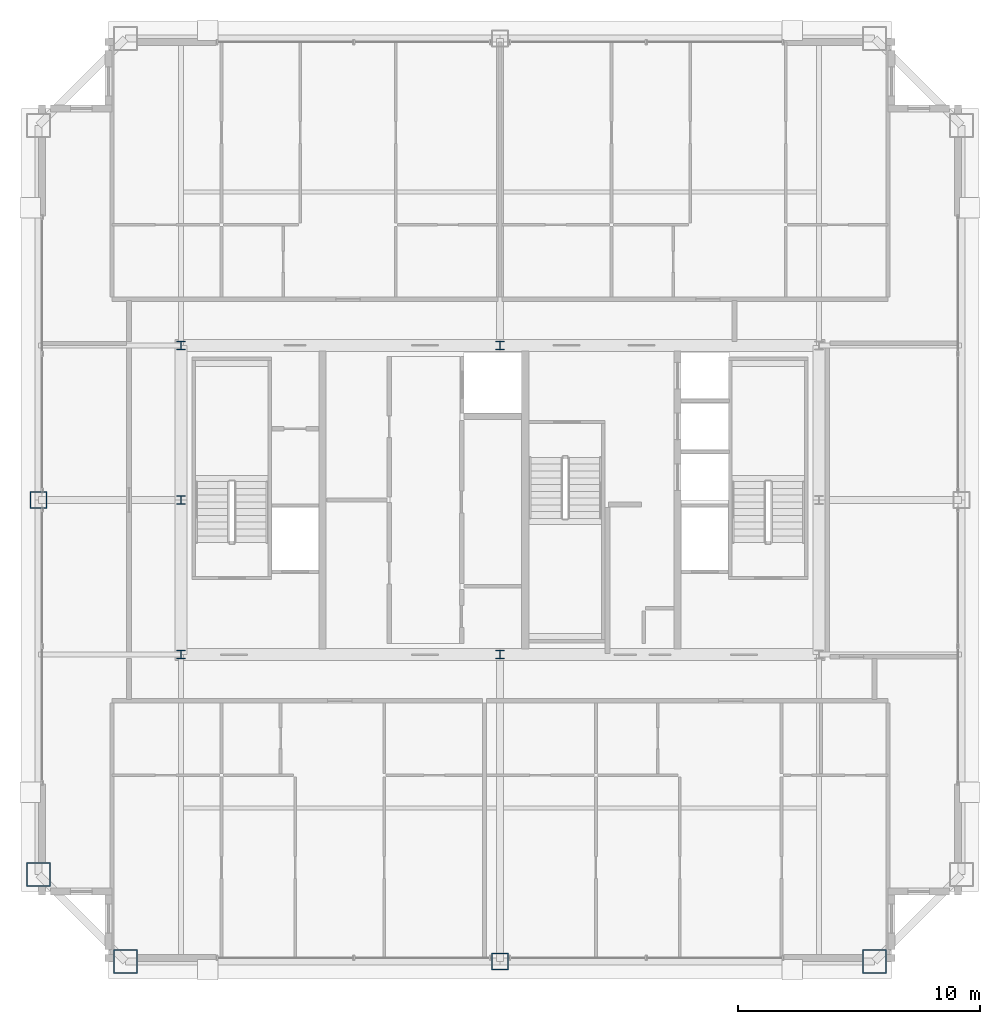
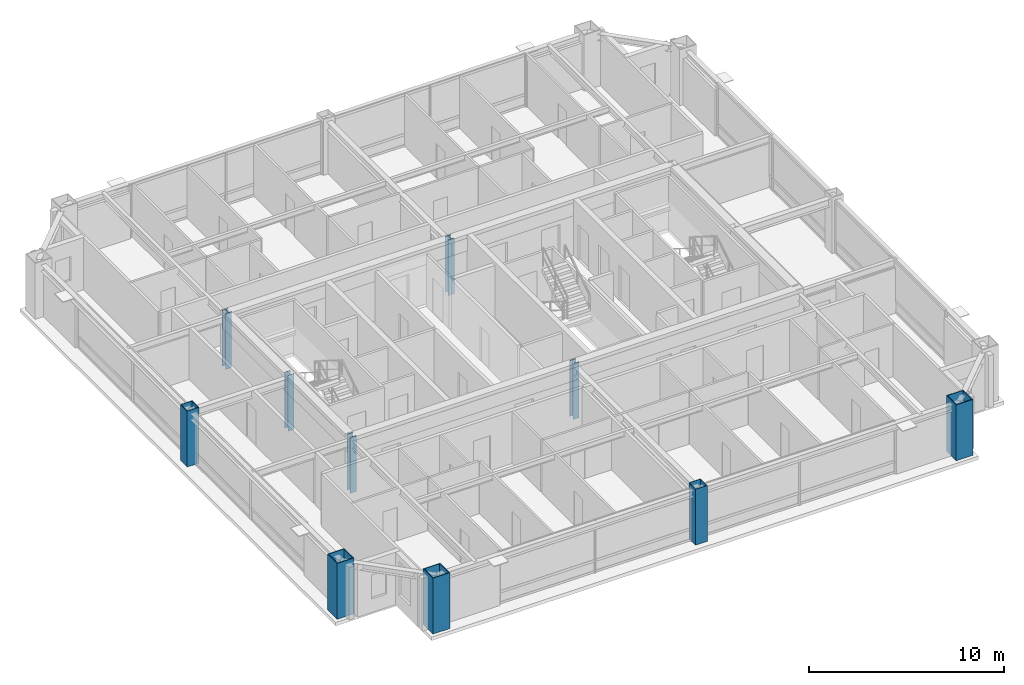
# One storey, part 1 of 35: 10 columns.
"""IFC4 building model written with IfcOpenShell, lengths in metres."""

from ifc_helpers import new_model, si_unit, direction, frame, origin, origin_2d, place, context, subcontext, project, spatial, hollow_rectangle, i_section, extrude, source, transform, mapped, material, material_profile, profile_set, type_object, element, save


model = new_model("IFC4")

# Units and contexts
model_context = context("Model", 3, precision=1e-05, world=origin(), true_north=direction((0.0, 1.0)))
body_context = subcontext(model_context, "Body", "Model", "MODEL_VIEW")
ifc_project = project(units=[si_unit("LENGTHUNIT", "METRE"), si_unit("AREAUNIT", "SQUARE_METRE"), si_unit("VOLUMEUNIT", "CUBIC_METRE"), si_unit("PLANEANGLEUNIT", "RADIAN"), si_unit("MASSUNIT", "GRAM", prefix="KILO"), si_unit("THERMODYNAMICTEMPERATUREUNIT", "KELVIN"), si_unit("POWERUNIT", "WATT")], contexts=[model_context])

# Site, building, storey
site_placement = place(None, origin())
site = spatial("IfcSite", under=ifc_project, at=site_placement, CompositionType="ELEMENT")
building_placement = place(site_placement, origin())
building = spatial("IfcBuilding", under=site, at=building_placement, Name="Yuzanri Waterfront Tower", CompositionType="ELEMENT")
storey_placement = place(building_placement, frame((0.0, 0.0, 296.10009765625)))
storey = spatial("IfcBuildingStorey", under=building, at=storey_placement, Name="L79", CompositionType="ELEMENT", Elevation=296.10009765625)

# Columns
ifc_material_1 = material(Name="Steel Q355B", Category="steel")
ifc_material_profile_1 = material_profile(ifc_material_1, hollow_rectangle(XDim=0.699951171875, YDim=0.699951171875, WallThickness=0.031982421875, at=origin_2d()), Name="RHS 700x700x32")
ifc_profile_set_1 = profile_set([ifc_material_profile_1], Name="Steel Q355B")
column_type_1 = type_object("IfcColumnType", Name="Frame Column Q355B RHS 700x700x32", PredefinedType="COLUMN", material=ifc_profile_set_1)
shared_shape_1 = source(origin(), body_context, "Body", "SweptSolid", [
    extrude(hollow_rectangle(XDim=0.699951171875, YDim=0.699951171875, WallThickness=0.031982421875, at=origin_2d()), origin(), (0.0, 0.0, 1.0), 3.5),
])
for number, where, z_axis, x_axis, name in (
    (1, (37.0, 6.699951171875, 0.0), (0.0, 0.0, 1.0), (1.0, 0.0, 0.0), "L79 Perimeter Frame Column S2"),
    (2, (17.89990234375, 25.800048828125, 0.0), (0.0, 0.0, 1.0), (1.0, 0.0, 0.0), "L79 Perimeter Frame Column W2"),
):
    element("IfcColumn", number, at=place(storey_placement, frame(where, z_axis=z_axis, x_axis=x_axis)), inside=storey, type_object=column_type_1, Name=name, PredefinedType="COLUMN", context=body_context, shape_type="MappedRepresentation", body=[
        mapped(shared_shape_1, transform((0.0, 0.0, 0.0), scale=1.0)),
    ])
ifc_material_2 = material(Name="Steel Q355B", Category="steel")
ifc_material_profile_2 = material_profile(ifc_material_2, i_section(OverallWidth=0.35009765625, OverallDepth=0.35009765625, WebThickness=0.011962890625, FlangeThickness=0.01904296875, at=origin_2d()), Name="HW 350x350x12x19")
ifc_profile_set_2 = profile_set([ifc_material_profile_2], Name="Steel Q355B")
column_type_2 = type_object("IfcColumnType", Name="Core Post Q355B HW 350x350x12x19", PredefinedType="COLUMN", material=ifc_profile_set_2)
shared_shape_2 = source(origin(), body_context, "Body", "SweptSolid", [
    extrude(i_section(OverallWidth=0.35009765625, OverallDepth=0.35009765625, WebThickness=0.011962890625, FlangeThickness=0.01904296875, at=origin_2d()), origin(), (0.0, 0.0, 1.0), 3.5),
])
for number, where, z_axis, x_axis, name in (
    (3, (23.800048828125, 19.39990234375, 0.0), (0.0, 0.0, 1.0), (1.0, 0.0, 0.0), "L79 Core Boundary Column CP1"),
    (4, (37.0, 19.39990234375, 0.0), (0.0, 0.0, 1.0), (1.0, 0.0, 0.0), "L79 Core Boundary Column CP2"),
    (5, (23.800048828125, 25.800048828125, 0.0), (0.0, 0.0, 1.0), (1.0, 0.0, 0.0), "L79 Core Boundary Column CP4"),
    (6, (23.800048828125, 32.199951171875, 0.0), (0.0, 0.0, 1.0), (1.0, 0.0, 0.0), "L79 Core Boundary Column CP6"),
    (7, (37.0, 32.199951171875, 0.0), (0.0, 0.0, 1.0), (1.0, 0.0, 0.0), "L79 Core Boundary Column CP7"),
):
    element("IfcColumn", number, at=place(storey_placement, frame(where, z_axis=z_axis, x_axis=x_axis)), inside=storey, type_object=column_type_2, Name=name, PredefinedType="COLUMN", context=body_context, shape_type="MappedRepresentation", body=[
        mapped(shared_shape_2, transform((0.0, 0.0, 0.0), scale=1.0)),
    ])
ifc_material_3 = material(Name="Steel Q390GJC", Category="steel")
ifc_material_profile_3 = material_profile(ifc_material_3, hollow_rectangle(XDim=1.0, YDim=1.0, WallThickness=0.048095703125, at=origin_2d()), Name="RHS 1000x1000x48")
ifc_profile_set_3 = profile_set([ifc_material_profile_3], Name="Steel Q390GJC")
column_type_3 = type_object("IfcColumnType", Name="Mega Column Q390GJC RHS 1000x1000x48", PredefinedType="COLUMN", material=ifc_profile_set_3)
shared_shape_3 = source(origin(), body_context, "Body", "SweptSolid", [
    extrude(hollow_rectangle(XDim=1.0, YDim=1.0, WallThickness=0.048095703125, at=origin_2d()), origin(), (0.0, 0.0, 1.0), 3.5),
])
for number, where, z_axis, x_axis, name in (
    (8, (21.5, 6.699951171875, 0.0), (0.0, 0.0, 1.0), (1.0, 0.0, 0.0), "L79 Perimeter Mega Column S1"),
    (9, (52.5, 6.699951171875, 0.0), (0.0, 0.0, 1.0), (1.0, 0.0, 0.0), "L79 Perimeter Mega Column S3"),
    (10, (17.89990234375, 10.300048828125, 0.0), (0.0, 0.0, 1.0), (1.0, 0.0, 0.0), "L79 Perimeter Mega Column W1"),
):
    element("IfcColumn", number, at=place(storey_placement, frame(where, z_axis=z_axis, x_axis=x_axis)), inside=storey, type_object=column_type_3, Name=name, PredefinedType="COLUMN", context=body_context, shape_type="MappedRepresentation", body=[
        mapped(shared_shape_3, transform((0.0, 0.0, 0.0), scale=1.0)),
    ])

save(model, "model.ifc")
